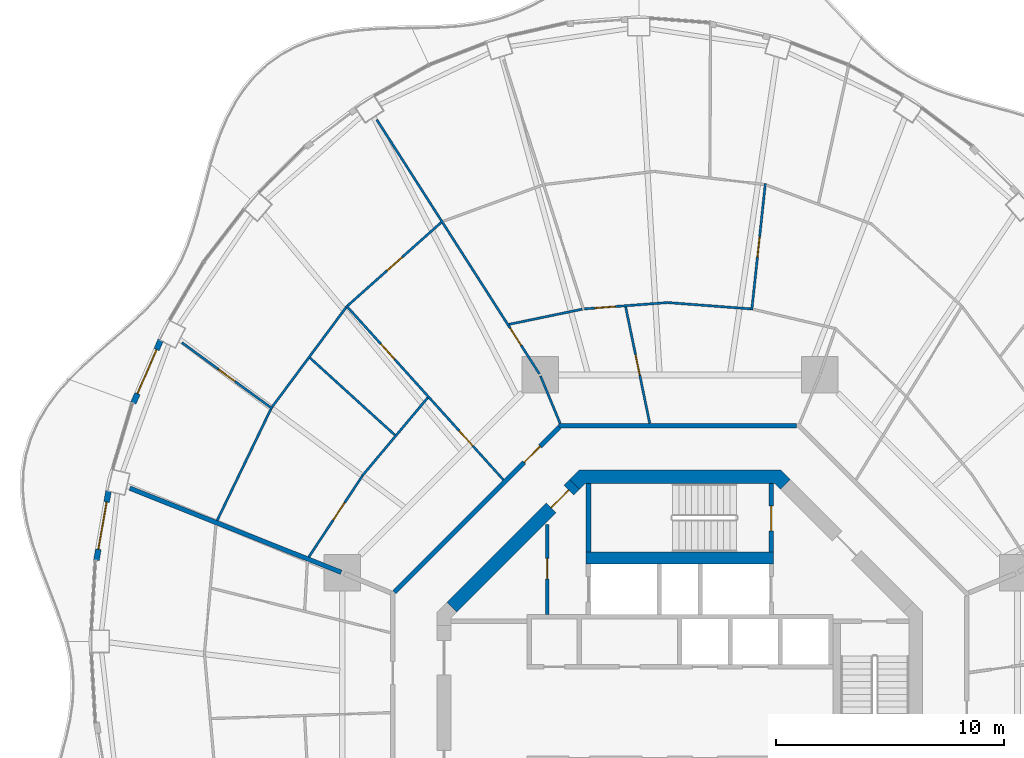
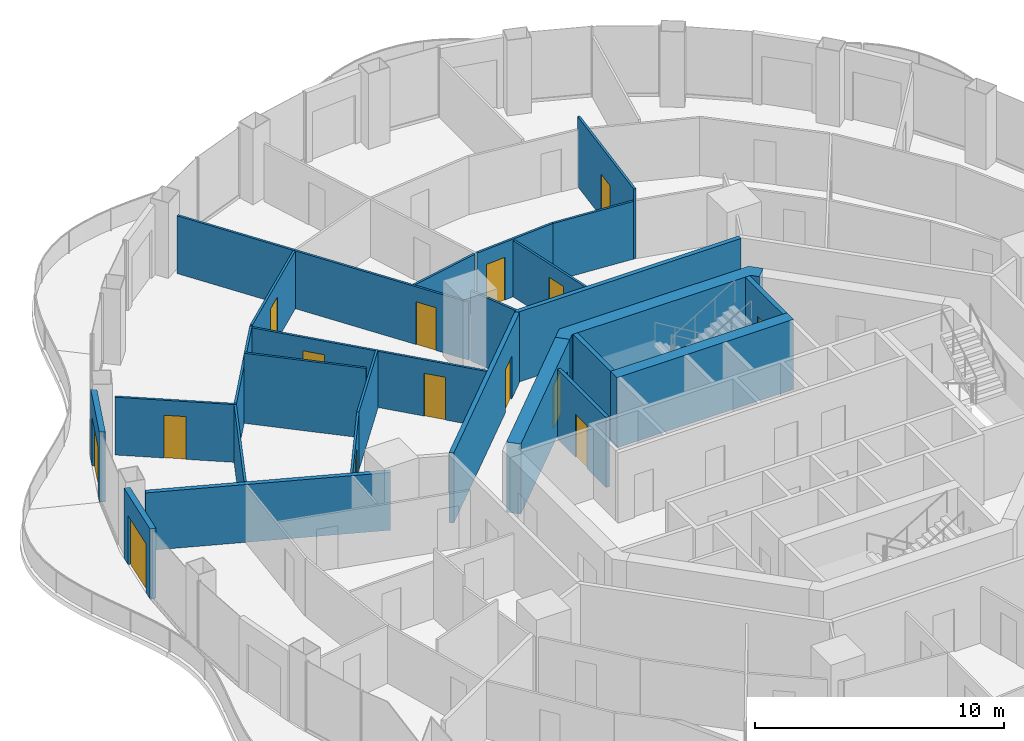
# One storey, part 13 of 18: 26 walls, 15 doors, 15 openings.
"""IFC4 building model written with IfcOpenShell, lengths in metres."""

from ifc_helpers import new_model, si_unit, direction, frame, frame_2d, origin, place, context, subcontext, project, spatial, polyline, rectangle, outline, extrude, material, layer, layer_set, type_object, element, fill, save


model = new_model("IFC4")

# Units and contexts
model_context = context("Model", 3, precision=1e-05, world=origin(), true_north=direction((0.0, 1.0)))
body_context = subcontext(model_context, "Body", "Model", "MODEL_VIEW")
ifc_project = project(units=[si_unit("LENGTHUNIT", "METRE"), si_unit("AREAUNIT", "SQUARE_METRE"), si_unit("VOLUMEUNIT", "CUBIC_METRE"), si_unit("PLANEANGLEUNIT", "RADIAN"), si_unit("MASSUNIT", "GRAM", prefix="KILO")], contexts=[model_context])

# Site, building, storey
site_placement = place(None, origin())
site = spatial("IfcSite", under=ifc_project, at=site_placement, CompositionType="ELEMENT")
building_placement = place(site_placement, origin())
building = spatial("IfcBuilding", under=site, at=building_placement, Name="Nagisa Residences", CompositionType="ELEMENT")
storey_placement = place(building_placement, frame((0.0, 0.0, 215.89990234375)))
storey = spatial("IfcBuildingStorey", under=building, at=storey_placement, Name="L54", CompositionType="ELEMENT", Elevation=215.89990234375)

# Walls
ifc_material_1 = material(Name="Gypsum board on steel studs", Category="steel")
ifc_layer_1 = layer(ifc_material_1, 0.199951171875)
ifc_layer_set_1 = layer_set([ifc_layer_1], Name="Apartment compartment wall EI60 200")
wall_type_1 = type_object("IfcWallType", Name="Apartment compartment wall EI60 200", PredefinedType="PARTITIONING", material=ifc_layer_set_1)
wall_1_placement = place(storey_placement, frame((-14.82861328125, 6.141357421875, 0.0), z_axis=(0.0, 0.0, 1.0), x_axis=(-0.929202069098, 0.36957206981, 0.0)))
element("IfcWall", 1, at=wall_1_placement, inside=storey, type_object=wall_type_1, Name="wall:L54:u03", PredefinedType="PARTITIONING", context=body_context, shape_type="SweptSolid", body=[
    extrude(rectangle(XDim=9.95654296875, YDim=0.199951171875, at=frame_2d((4.978271484375, 0.0))), origin(), (0.0, 0.0, 1.0), 2.837158203125),
])
ifc_material_2 = material(Name="Gypsum board on steel studs", Category="steel")
ifc_layer_2 = layer(ifc_material_2, 0.199951171875)
ifc_layer_set_2 = layer_set([ifc_layer_2], Name="Apartment entry wall EI60 200")
wall_type_2 = type_object("IfcWallType", Name="Apartment entry wall EI60 200", PredefinedType="PARTITIONING", material=ifc_layer_set_2)
wall_2_placement = place(storey_placement, frame((5.1044921875, 12.564697265625, 0.0), z_axis=(0.0, 0.0, 1.0), x_axis=(-1.0, 0.0, 0.0)))
element("IfcWall", 2, at=wall_2_placement, inside=storey, type_object=wall_type_2, Name="wall:L54:u10", PredefinedType="PARTITIONING", context=body_context, shape_type="SweptSolid", body=[
    extrude(rectangle(XDim=10.408935546875, YDim=0.199951171875, at=frame_2d((5.20458984375, 0.0))), origin(), (0.0, 0.0, 1.0), 3.440185546875),
])

# Wall, opening, door
wall_3_placement = place(storey_placement, frame((-5.275146484375, 12.494140625, 0.0), z_axis=(0.0, 0.0, 1.0), x_axis=(-0.707106781187, -0.707106781187, 0.0)))
wall_3 = element("IfcWall", 3, at=wall_3_placement, inside=storey, type_object=wall_type_2, Name="wall:L54:u11", PredefinedType="PARTITIONING", context=body_context, shape_type="SweptSolid", body=[
    extrude(rectangle(XDim=10.209228515625, YDim=0.199951171875, at=frame_2d((5.1044921875, 0.0))), origin(), (0.0, 0.0, 1.0), 3.440185546875),
])
opening_1_placement = place(wall_3_placement, frame((1.184814453125, 0.0, 0.0)))
opening_1 = element("IfcOpeningElement", 4, at=opening_1_placement, cuts=wall_3, Name="Opening L54-U01", PredefinedType="OPENING", context=body_context, shape_type="SweptSolid", body=[
    extrude(rectangle(XDim=1.0, YDim=2.10009765625, at=frame_2d((0.5, 1.050048828125))), frame((0.0, 0.10986328125, 0.0), z_axis=(0.0, -1.0, 0.0), x_axis=(1.0, 0.0, 0.0)), (0.0, 0.0, 1.0), 0.219970703125),
])
ifc_material_3 = material(Name="Timber fire door set", Category="wood")
door_type_1 = type_object("IfcDoorType", Name="Apartment entry door FD30S 1000x2100", OperationType="NOTDEFINED", PredefinedType="DOOR", material=ifc_material_3)
door_1_placement = place(opening_1_placement, frame((1.0, 0.0, 0.0), x_axis=(-1.0, 0.0, 0.0)))
door_1 = element("IfcDoor", 5, at=door_1_placement, inside=storey, type_object=door_type_1, Name="Entry door, Apartment 54A", OperationType="SINGLE_SWING_RIGHT", OverallHeight=2.10009765625, OverallWidth=1.0, PredefinedType="DOOR", context=body_context, shape_type="SweptSolid", body=[
    extrude(rectangle(XDim=1.0, YDim=2.10009765625, at=frame_2d((0.5, 1.050048828125))), frame((0.0, 0.02490234375, 0.0), z_axis=(0.0, -1.0, 0.0), x_axis=(1.0, 0.0, 0.0)), (0.0, 0.0, 1.0), 0.050048828125),
])
fill(opening_1, door_1)

ifc_material_4 = material(Name="Gypsum board on steel studs", Category="steel")
ifc_layer_3 = layer(ifc_material_4, 0.10009765625)
ifc_layer_set_3 = layer_set([ifc_layer_3], Name="Apartment partition 100")
wall_type_3 = type_object("IfcWallType", Name="Apartment partition 100", PredefinedType="PARTITIONING", material=ifc_layer_set_3)
wall_4_placement = place(storey_placement, frame((3.145263671875, 17.617919921875, 0.0), z_axis=(0.0, 0.0, 1.0), x_axis=(0.106820754108, 0.994278294288, 0.0)))
wall_4 = element("IfcWall", 6, at=wall_4_placement, inside=storey, type_object=wall_type_3, Name="wall:L54:u34", PredefinedType="PARTITIONING", context=body_context, shape_type="SweptSolid", body=[
    extrude(rectangle(XDim=5.574462890625, YDim=0.10009765625, at=frame_2d((2.787109375, 0.0))), origin(), (0.0, 0.0, 1.0), 3.440185546875),
])
opening_2_placement = place(wall_4_placement, frame((2.337158203125, 0.0, 0.0)))
opening_2 = element("IfcOpeningElement", 7, at=opening_2_placement, cuts=wall_4, Name="Opening L54-U14", PredefinedType="OPENING", context=body_context, shape_type="SweptSolid", body=[
    extrude(rectangle(XDim=0.89990234375, YDim=2.10009765625, at=frame_2d((0.449951171875, 1.050048828125))), frame((0.0, 0.06005859375, 0.0), z_axis=(0.0, -1.0, 0.0), x_axis=(1.0, 0.0, 0.0)), (0.0, 0.0, 1.0), 0.1201171875),
])
ifc_material_5 = material(Name="Timber door set", Category="wood")
door_type_2 = type_object("IfcDoorType", Name="Apartment door 900x2100", OperationType="NOTDEFINED", PredefinedType="DOOR", material=ifc_material_5)
door_2_placement = place(opening_2_placement, frame((0.89990234375, 0.0, 0.0), x_axis=(-1.0, 0.0, 0.0)))
door_2 = element("IfcDoor", 8, at=door_2_placement, inside=storey, type_object=door_type_2, Name="Door to dining room, Apartment 54A", OperationType="SINGLE_SWING_LEFT", OverallHeight=2.10009765625, OverallWidth=0.89990234375, PredefinedType="DOOR", context=body_context, shape_type="SweptSolid", body=[
    extrude(rectangle(XDim=0.89990234375, YDim=2.10009765625, at=frame_2d((0.449951171875, 1.050048828125))), frame((0.0, 0.02490234375, 0.0), z_axis=(0.0, -1.0, 0.0), x_axis=(1.0, 0.0, 0.0)), (0.0, 0.0, 1.0), 0.050048828125),
])
fill(opening_2, door_2)

# Wall
wall_5_placement = place(storey_placement, frame((3.1005859375, 17.67138671875, 0.0), z_axis=(0.0, 0.0, 1.0), x_axis=(-0.997133705575, 0.075659587668, 0.0)))
element("IfcWall", 9, at=wall_5_placement, inside=storey, type_object=wall_type_3, Name="wall:L54:u35", PredefinedType="PARTITIONING", context=body_context, shape_type="SweptSolid", body=[
    extrude(rectangle(XDim=3.60107421875, YDim=0.10009765625, at=frame_2d((1.800537109375, 0.0))), origin(), (0.0, 0.0, 1.0), 2.837158203125),
])

# Wall, opening, door
wall_6_placement = place(storey_placement, frame((-0.490234375, 17.951416015625, 0.0), z_axis=(0.0, 0.0, 1.0), x_axis=(-0.997133495787, -0.075662352452, 0.0)))
wall_6 = element("IfcWall", 10, at=wall_6_placement, inside=storey, type_object=wall_type_3, Name="wall:L54:u38", PredefinedType="PARTITIONING", context=body_context, shape_type="SweptSolid", body=[
    extrude(rectangle(XDim=3.700927734375, YDim=0.10009765625, at=frame_2d((1.8505859375, 0.0))), origin(), (0.0, 0.0, 1.0), 2.837158203125),
])
opening_3_placement = place(wall_6_placement, frame((2.350830078125, 0.0, 0.0)))
opening_3 = element("IfcOpeningElement", 11, at=opening_3_placement, cuts=wall_6, Name="Opening L54-U04", PredefinedType="OPENING", context=body_context, shape_type="SweptSolid", body=[
    extrude(rectangle(XDim=0.89990234375, YDim=2.10009765625, at=frame_2d((0.449951171875, 1.050048828125))), frame((0.0, 0.06005859375, 0.0), z_axis=(0.0, -1.0, 0.0), x_axis=(1.0, 0.0, 0.0)), (0.0, 0.0, 1.0), 0.1201171875),
])
door_3_placement = place(opening_3_placement, frame((0.89990234375, 0.0, 0.0), x_axis=(-1.0, 0.0, 0.0)))
door_3 = element("IfcDoor", 12, at=door_3_placement, inside=storey, type_object=door_type_2, Name="Door to family room, Apartment 54A", OperationType="SINGLE_SWING_LEFT", OverallHeight=2.10009765625, OverallWidth=0.89990234375, PredefinedType="DOOR", context=body_context, shape_type="SweptSolid", body=[
    extrude(rectangle(XDim=0.89990234375, YDim=2.10009765625, at=frame_2d((0.449951171875, 1.050048828125))), frame((0.0, 0.02490234375, 0.0), z_axis=(0.0, -1.0, 0.0), x_axis=(1.0, 0.0, 0.0)), (0.0, 0.0, 1.0), 0.050048828125),
])
fill(opening_3, door_3)

wall_7_placement = place(storey_placement, frame((-1.3212890625, 12.66259765625, 0.0), z_axis=(0.0, 0.0, 1.0), x_axis=(-0.202526486639, 0.979276785291, 0.0)))
wall_7 = element("IfcWall", 13, at=wall_7_placement, inside=storey, type_object=wall_type_3, Name="wall:L54:u40", PredefinedType="PARTITIONING", context=body_context, shape_type="SweptSolid", body=[
    extrude(rectangle(XDim=5.2041015625, YDim=0.10009765625, at=frame_2d((2.60205078125, 0.0))), origin(), (0.0, 0.0, 1.0), 2.76220703125),
])
opening_4_placement = place(wall_7_placement, frame((2.15185546875, 0.0, 0.0)))
opening_4 = element("IfcOpeningElement", 14, at=opening_4_placement, cuts=wall_7, Name="Opening L54-U13", PredefinedType="OPENING", context=body_context, shape_type="SweptSolid", body=[
    extrude(rectangle(XDim=0.89990234375, YDim=2.10009765625, at=frame_2d((0.449951171875, 1.050048828125))), frame((0.0, 0.06005859375, 0.0), z_axis=(0.0, -1.0, 0.0), x_axis=(1.0, 0.0, 0.0)), (0.0, 0.0, 1.0), 0.1201171875),
])
door_4_placement = place(opening_4_placement, frame((0.89990234375, 0.0, 0.0), x_axis=(-1.0, 0.0, 0.0)))
door_4 = element("IfcDoor", 15, at=door_4_placement, inside=storey, type_object=door_type_2, Name="Door to store, Apartment 54A", OperationType="SINGLE_SWING_RIGHT", OverallHeight=2.10009765625, OverallWidth=0.89990234375, PredefinedType="DOOR", context=body_context, shape_type="SweptSolid", body=[
    extrude(rectangle(XDim=0.89990234375, YDim=2.10009765625, at=frame_2d((0.449951171875, 1.050048828125))), frame((0.0, 0.02490234375, 0.0), z_axis=(0.0, -1.0, 0.0), x_axis=(1.0, 0.0, 0.0)), (0.0, 0.0, 1.0), 0.050048828125),
])
fill(opening_4, door_4)

# Walls
wall_8_placement = place(storey_placement, frame((-4.279541015625, 17.657470703125, 0.0), z_axis=(0.0, 0.0, 1.0), x_axis=(-0.979205232861, -0.202872156637, 0.0)))
element("IfcWall", 16, at=wall_8_placement, inside=storey, type_object=wall_type_3, Name="wall:L54:u42", PredefinedType="PARTITIONING", context=body_context, shape_type="SweptSolid", body=[
    extrude(rectangle(XDim=3.27099609375, YDim=0.10009765625, at=frame_2d((1.635498046875, 0.0))), origin(), (0.0, 0.0, 1.0), 2.837158203125),
])
wall_9_placement = place(storey_placement, frame((-5.24267578125, 12.6572265625, 0.0), z_axis=(0.0, 0.0, 1.0), x_axis=(-0.382757529444, 0.923848837015, 0.0)))
element("IfcWall", 17, at=wall_9_placement, inside=storey, type_object=wall_type_3, Name="wall:L54:u44", PredefinedType="PARTITIONING", context=body_context, shape_type="SweptSolid", body=[
    extrude(rectangle(XDim=2.249755859375, YDim=0.10009765625, at=frame_2d((1.125, 0.0))), origin(), (0.0, 0.0, 1.0), 3.440185546875),
])

# Wall, opening, door
wall_10_placement = place(storey_placement, frame((-6.14990234375, 14.82421875, 0.0), z_axis=(0.0, 0.0, 1.0), x_axis=(-0.538870687577, 0.842388498301, 0.0)))
wall_10 = element("IfcWall", 18, at=wall_10_placement, inside=storey, type_object=wall_type_3, Name="wall:L54:u45", PredefinedType="PARTITIONING", context=body_context, shape_type="SweptSolid", body=[
    extrude(rectangle(XDim=13.212646484375, YDim=0.10009765625, at=frame_2d((6.6064453125, 0.0))), origin(), (0.0, 0.0, 1.0), 2.837158203125),
])
opening_5_placement = place(wall_10_placement, frame((1.4833984375, 0.0, 0.0)))
opening_5 = element("IfcOpeningElement", 19, at=opening_5_placement, cuts=wall_10, Name="Opening L54-U02", PredefinedType="OPENING", context=body_context, shape_type="SweptSolid", body=[
    extrude(rectangle(XDim=0.89990234375, YDim=2.10009765625, at=frame_2d((0.449951171875, 1.050048828125))), frame((0.0, 0.06005859375, 0.0), z_axis=(0.0, -1.0, 0.0), x_axis=(1.0, 0.0, 0.0)), (0.0, 0.0, 1.0), 0.1201171875),
])
door_5_placement = place(opening_5_placement, frame((0.89990234375, 0.0, 0.0), x_axis=(-1.0, 0.0, 0.0)))
door_5 = element("IfcDoor", 20, at=door_5_placement, inside=storey, type_object=door_type_2, Name="Door to laundry, Apartment 54A", OperationType="SINGLE_SWING_LEFT", OverallHeight=2.10009765625, OverallWidth=0.89990234375, PredefinedType="DOOR", context=body_context, shape_type="SweptSolid", body=[
    extrude(rectangle(XDim=0.89990234375, YDim=2.10009765625, at=frame_2d((0.449951171875, 1.050048828125))), frame((0.0, 0.02490234375, 0.0), z_axis=(0.0, -1.0, 0.0), x_axis=(1.0, 0.0, 0.0)), (0.0, 0.0, 1.0), 0.050048828125),
])
fill(opening_5, door_5)

wall_11_placement = place(storey_placement, frame((-10.450439453125, 21.455322265625, 0.0), z_axis=(0.0, 0.0, 1.0), x_axis=(-0.747150931973, -0.66465441009, 0.0)))
wall_11 = element("IfcWall", 21, at=wall_11_placement, inside=storey, type_object=wall_type_3, Name="wall:L54:u46", PredefinedType="PARTITIONING", context=body_context, shape_type="SweptSolid", body=[
    extrude(rectangle(XDim=5.474853515625, YDim=0.10009765625, at=frame_2d((2.7373046875, 0.0))), origin(), (0.0, 0.0, 1.0), 2.837158203125),
])
opening_6_placement = place(wall_11_placement, frame((2.28759765625, 0.0, 0.0)))
opening_6 = element("IfcOpeningElement", 22, at=opening_6_placement, cuts=wall_11, Name="Opening L54-U11", PredefinedType="OPENING", context=body_context, shape_type="SweptSolid", body=[
    extrude(rectangle(XDim=0.89990234375, YDim=2.10009765625, at=frame_2d((0.449951171875, 1.050048828125))), frame((0.0, 0.06005859375, 0.0), z_axis=(0.0, -1.0, 0.0), x_axis=(1.0, 0.0, 0.0)), (0.0, 0.0, 1.0), 0.1201171875),
])
door_6_placement = place(opening_6_placement, frame((0.89990234375, 0.0, 0.0), x_axis=(-1.0, 0.0, 0.0)))
door_6 = element("IfcDoor", 23, at=door_6_placement, inside=storey, type_object=door_type_2, Name="Door to living room, Apartment 54A", OperationType="SINGLE_SWING_RIGHT", OverallHeight=2.10009765625, OverallWidth=0.89990234375, PredefinedType="DOOR", context=body_context, shape_type="SweptSolid", body=[
    extrude(rectangle(XDim=0.89990234375, YDim=2.10009765625, at=frame_2d((0.449951171875, 1.050048828125))), frame((0.0, 0.02490234375, 0.0), z_axis=(0.0, -1.0, 0.0), x_axis=(1.0, 0.0, 0.0)), (0.0, 0.0, 1.0), 0.050048828125),
])
fill(opening_6, door_6)

# Wall, openings, doors
wall_12_placement = place(storey_placement, frame((-7.724853515625, 10.185546875, 0.0), z_axis=(0.0, 0.0, 1.0), x_axis=(-0.669819599194, 0.742523874725, 0.0)))
wall_12 = element("IfcWall", 24, at=wall_12_placement, inside=storey, type_object=wall_type_3, Name="wall:L54:u47", PredefinedType="PARTITIONING", context=body_context, shape_type="SweptSolid", body=[
    extrude(rectangle(XDim=10.2822265625, YDim=0.10009765625, at=frame_2d((5.14111328125, 0.0))), origin(), (0.0, 0.0, 1.0), 2.76220703125),
])
opening_7_placement = place(wall_12_placement, frame((1.999755859375, 0.0, 0.0)))
opening_7 = element("IfcOpeningElement", 25, at=opening_7_placement, cuts=wall_12, Name="Opening L54-U03", PredefinedType="OPENING", context=body_context, shape_type="SweptSolid", body=[
    extrude(rectangle(XDim=0.89990234375, YDim=2.10009765625, at=frame_2d((0.449951171875, 1.050048828125))), frame((0.0, 0.06005859375, 0.0), z_axis=(0.0, -1.0, 0.0), x_axis=(1.0, 0.0, 0.0)), (0.0, 0.0, 1.0), 0.1201171875),
])
opening_8_placement = place(wall_12_placement, frame((7.11572265625, 0.0, 0.0)))
opening_8 = element("IfcOpeningElement", 26, at=opening_8_placement, cuts=wall_12, Name="Opening L54-U06", PredefinedType="OPENING", context=body_context, shape_type="SweptSolid", body=[
    extrude(rectangle(XDim=0.89990234375, YDim=2.10009765625, at=frame_2d((0.449951171875, 1.050048828125))), frame((0.0, 0.06005859375, 0.0), z_axis=(0.0, -1.0, 0.0), x_axis=(1.0, 0.0, 0.0)), (0.0, 0.0, 1.0), 0.1201171875),
])
door_7_placement = place(opening_7_placement, origin())
door_7 = element("IfcDoor", 27, at=door_7_placement, inside=storey, type_object=door_type_2, Name="Door to store, Apartment 54A", OperationType="SINGLE_SWING_LEFT", OverallHeight=2.10009765625, OverallWidth=0.89990234375, PredefinedType="DOOR", context=body_context, shape_type="SweptSolid", body=[
    extrude(rectangle(XDim=0.89990234375, YDim=2.10009765625, at=frame_2d((0.449951171875, 1.050048828125))), frame((0.0, 0.02490234375, 0.0), z_axis=(0.0, -1.0, 0.0), x_axis=(1.0, 0.0, 0.0)), (0.0, 0.0, 1.0), 0.050048828125),
])
fill(opening_7, door_7)
door_8_placement = place(opening_8_placement, origin())
door_8 = element("IfcDoor", 28, at=door_8_placement, inside=storey, type_object=door_type_2, Name="Door to family bathroom, Apartment 54A", OperationType="SINGLE_SWING_RIGHT", OverallHeight=2.10009765625, OverallWidth=0.89990234375, PredefinedType="DOOR", context=body_context, shape_type="SweptSolid", body=[
    extrude(rectangle(XDim=0.89990234375, YDim=2.10009765625, at=frame_2d((0.449951171875, 1.050048828125))), frame((0.0, 0.02490234375, 0.0), z_axis=(0.0, -1.0, 0.0), x_axis=(1.0, 0.0, 0.0)), (0.0, 0.0, 1.0), 0.050048828125),
])
fill(opening_8, door_8)

# Walls
wall_13_placement = place(storey_placement, frame((-11.03857421875, 13.78515625, 0.0), z_axis=(0.0, 0.0, 1.0), x_axis=(-0.642254625966, -0.766491353784, 0.0)))
element("IfcWall", 29, at=wall_13_placement, inside=storey, type_object=wall_type_3, Name="wall:L54:u48", PredefinedType="PARTITIONING", context=body_context, shape_type="SweptSolid", body=[
    extrude(rectangle(XDim=4.4609375, YDim=0.10009765625, at=frame_2d((2.23046875, 0.0))), origin(), (0.0, 0.0, 1.0), 2.837158203125),
])
wall_14_placement = place(storey_placement, frame((-14.608154296875, 17.7431640625, 0.0), z_axis=(0.0, 0.0, 1.0), x_axis=(-0.596174489482, -0.8028548923, 0.0)))
element("IfcWall", 30, at=wall_14_placement, inside=storey, type_object=wall_type_3, Name="wall:L54:u49", PredefinedType="PARTITIONING", context=body_context, shape_type="SweptSolid", body=[
    extrude(rectangle(XDim=5.44189453125, YDim=0.10009765625, at=frame_2d((2.720947265625, 0.0))), origin(), (0.0, 0.0, 1.0), 2.837158203125),
])
wall_15_placement = place(storey_placement, frame((-12.47607421875, 12.1474609375, 0.0), z_axis=(0.0, 0.0, 1.0), x_axis=(-0.740129203525, 0.672464692077, 0.0)))
element("IfcWall", 31, at=wall_15_placement, inside=storey, type_object=wall_type_3, Name="wall:L54:u50", PredefinedType="PARTITIONING", context=body_context, shape_type="SweptSolid", body=[
    extrude(rectangle(XDim=5.0224609375, YDim=0.10009765625, at=frame_2d((2.51123046875, 0.0))), origin(), (0.0, 0.0, 1.0), 3.440185546875),
])

# Wall, opening, door
wall_16_placement = place(storey_placement, frame((-13.899169921875, 10.362548828125, 0.0), z_axis=(0.0, 0.0, 1.0), x_axis=(-0.551267958114, -0.834328255758, 0.0)))
wall_16 = element("IfcWall", 32, at=wall_16_placement, inside=storey, type_object=wall_type_3, Name="wall:L54:u51", PredefinedType="PARTITIONING", context=body_context, shape_type="SweptSolid", body=[
    extrude(rectangle(XDim=4.25732421875, YDim=0.10009765625, at=frame_2d((2.128662109375, 0.0))), origin(), (0.0, 0.0, 1.0), 2.837158203125),
])
opening_9_placement = place(wall_16_placement, frame((1.4130859375, 0.0, 0.0)))
opening_9 = element("IfcOpeningElement", 33, at=opening_9_placement, cuts=wall_16, Name="Opening L54-U07", PredefinedType="OPENING", context=body_context, shape_type="SweptSolid", body=[
    extrude(rectangle(XDim=0.89990234375, YDim=2.10009765625, at=frame_2d((0.449951171875, 1.050048828125))), frame((0.0, 0.06005859375, 0.0), z_axis=(0.0, -1.0, 0.0), x_axis=(1.0, 0.0, 0.0)), (0.0, 0.0, 1.0), 0.1201171875),
])
door_9_placement = place(opening_9_placement, frame((0.89990234375, 0.0, 0.0), x_axis=(-1.0, 0.0, 0.0)))
door_9 = element("IfcDoor", 34, at=door_9_placement, inside=storey, type_object=door_type_2, Name="Door to dining room, Apartment 54A", OperationType="SINGLE_SWING_RIGHT", OverallHeight=2.10009765625, OverallWidth=0.89990234375, PredefinedType="DOOR", context=body_context, shape_type="SweptSolid", body=[
    extrude(rectangle(XDim=0.89990234375, YDim=2.10009765625, at=frame_2d((0.449951171875, 1.050048828125))), frame((0.0, 0.02490234375, 0.0), z_axis=(0.0, -1.0, 0.0), x_axis=(1.0, 0.0, 0.0)), (0.0, 0.0, 1.0), 0.050048828125),
])
fill(opening_9, door_9)

wall_17_placement = place(storey_placement, frame((-17.842041015625, 13.304443359375, 0.0), z_axis=(0.0, 0.0, 1.0), x_axis=(-0.807541617862, 0.589810592835, 0.0)))
wall_17 = element("IfcWall", 35, at=wall_17_placement, inside=storey, type_object=wall_type_3, Name="wall:L54:u52", PredefinedType="PARTITIONING", context=body_context, shape_type="SweptSolid", body=[
    extrude(rectangle(XDim=4.9033203125, YDim=0.10009765625, at=frame_2d((2.45166015625, 0.0))), origin(), (0.0, 0.0, 1.0), 2.837158203125),
])
opening_10_placement = place(wall_17_placement, frame((2.02685546875, 0.0, 0.0)))
opening_10 = element("IfcOpeningElement", 36, at=opening_10_placement, cuts=wall_17, Name="Opening L54-U12", PredefinedType="OPENING", context=body_context, shape_type="SweptSolid", body=[
    extrude(rectangle(XDim=0.89990234375, YDim=2.10009765625, at=frame_2d((0.449951171875, 1.050048828125))), frame((0.0, 0.06005859375, 0.0), z_axis=(0.0, -1.0, 0.0), x_axis=(1.0, 0.0, 0.0)), (0.0, 0.0, 1.0), 0.1201171875),
])
door_10_placement = place(opening_10_placement, origin())
door_10 = element("IfcDoor", 37, at=door_10_placement, inside=storey, type_object=door_type_2, Name="Door to bedroom, Apartment 54A", OperationType="SINGLE_SWING_RIGHT", OverallHeight=2.10009765625, OverallWidth=0.89990234375, PredefinedType="DOOR", context=body_context, shape_type="SweptSolid", body=[
    extrude(rectangle(XDim=0.89990234375, YDim=2.10009765625, at=frame_2d((0.449951171875, 1.050048828125))), frame((0.0, 0.02490234375, 0.0), z_axis=(0.0, -1.0, 0.0), x_axis=(1.0, 0.0, 0.0)), (0.0, 0.0, 1.0), 0.050048828125),
])
fill(opening_10, door_10)

# Wall
wall_18_placement = place(storey_placement, frame((-17.904052734375, 13.288818359375, 0.0), z_axis=(0.0, 0.0, 1.0), x_axis=(-0.43429918566, -0.900768681369, 0.0)))
element("IfcWall", 38, at=wall_18_placement, inside=storey, type_object=wall_type_3, Name="wall:L54:u53", PredefinedType="PARTITIONING", context=body_context, shape_type="SweptSolid", body=[
    extrude(rectangle(XDim=5.41845703125, YDim=0.10009765625, at=frame_2d((2.709228515625, 0.0))), origin(), (0.0, 0.0, 1.0), 2.837158203125),
])

# Wall, opening, door
ifc_material_6 = material(Name="Precast concrete C40/50", Category="concrete")
ifc_layer_4 = layer(ifc_material_6, 0.25)
ifc_layer_set_4 = layer_set([ifc_layer_4], Name="BALCONY DOOR WALL 250")
wall_type_4 = type_object("IfcWallType", Name="BALCONY DOOR WALL 250", PredefinedType="SOLIDWALL", material=ifc_layer_set_4)
wall_19_placement = place(storey_placement, frame((-23.923095703125, 13.5498046875, 0.0), z_axis=(0.0, 0.0, 1.0), x_axis=(0.397685034628, 0.917521996048, 0.0)))
wall_19 = element("IfcWall", 39, at=wall_19_placement, inside=storey, type_object=wall_type_4, Name="wall:L54:bay20", PredefinedType="SOLIDWALL", context=body_context, shape_type="SweptSolid", body=[
    extrude(rectangle(XDim=3.001953125, YDim=0.25, at=frame_2d((1.5009765625, 0.0))), origin(), (0.0, 0.0, 1.0), 3.440185546875),
])
opening_11_placement = place(wall_19_placement, frame((0.450927734375, 0.0, 0.0)))
opening_11 = element("IfcOpeningElement", 40, at=opening_11_placement, cuts=wall_19, Name="Opening BD-L54-07", PredefinedType="OPENING", context=body_context, shape_type="SweptSolid", body=[
    extrude(rectangle(XDim=2.10009765625, YDim=2.39990234375, at=frame_2d((1.050048828125, 1.199951171875))), frame((0.0, 0.135009765625, 0.0), z_axis=(0.0, -1.0, 0.0), x_axis=(1.0, 0.0, 0.0)), (0.0, 0.0, 1.0), 0.27001953125),
])
ifc_material_7 = material(Name="Aluminium and clear glass", Category="aluminium")
door_type_3 = type_object("IfcDoorType", Name="BALCONY SLIDING DOOR 2100x2400", OperationType="SLIDING_TO_LEFT", PredefinedType="DOOR", material=ifc_material_7)
door_11_placement = place(opening_11_placement, origin())
door_11 = element("IfcDoor", 41, at=door_11_placement, inside=storey, type_object=door_type_3, Name="door:L54:bay20", OperationType="SLIDING_TO_LEFT", OverallHeight=2.39990234375, OverallWidth=2.10009765625, PredefinedType="DOOR", context=body_context, shape_type="SweptSolid", body=[
    extrude(rectangle(XDim=2.10009765625, YDim=2.39990234375, at=frame_2d((1.050048828125, 1.199951171875))), frame((0.0, 0.02490234375, 0.0), z_axis=(0.0, -1.0, 0.0), x_axis=(1.0, 0.0, 0.0)), (0.0, 0.0, 1.0), 0.050048828125),
])
fill(opening_11, door_11)

wall_20_placement = place(storey_placement, frame((-25.541015625, 6.67138671875, 0.0), z_axis=(0.0, 0.0, 1.0), x_axis=(0.172254823677, 0.985052422828, 0.0)))
wall_20 = element("IfcWall", 42, at=wall_20_placement, inside=storey, type_object=wall_type_4, Name="wall:L54:bay22", PredefinedType="SOLIDWALL", context=body_context, shape_type="SweptSolid", body=[
    extrude(rectangle(XDim=3.067138671875, YDim=0.25, at=frame_2d((1.53369140625, 0.0))), origin(), (0.0, 0.0, 1.0), 3.440185546875),
])
opening_12_placement = place(wall_20_placement, frame((0.483642578125, 0.0, 0.0)))
opening_12 = element("IfcOpeningElement", 43, at=opening_12_placement, cuts=wall_20, Name="Opening BD-L54-08", PredefinedType="OPENING", context=body_context, shape_type="SweptSolid", body=[
    extrude(rectangle(XDim=2.10009765625, YDim=2.39990234375, at=frame_2d((1.050048828125, 1.199951171875))), frame((0.0, 0.135009765625, 0.0), z_axis=(0.0, -1.0, 0.0), x_axis=(1.0, 0.0, 0.0)), (0.0, 0.0, 1.0), 0.27001953125),
])
door_12_placement = place(opening_12_placement, origin())
door_12 = element("IfcDoor", 44, at=door_12_placement, inside=storey, type_object=door_type_3, Name="door:L54:bay22", OperationType="SLIDING_TO_LEFT", OverallHeight=2.39990234375, OverallWidth=2.10009765625, PredefinedType="DOOR", context=body_context, shape_type="SweptSolid", body=[
    extrude(rectangle(XDim=2.10009765625, YDim=2.39990234375, at=frame_2d((1.050048828125, 1.199951171875))), frame((0.0, 0.02490234375, 0.0), z_axis=(0.0, -1.0, 0.0), x_axis=(1.0, 0.0, 0.0)), (0.0, 0.0, 1.0), 0.050048828125),
])
fill(opening_12, door_12)

ifc_material_8 = material(Name="Gypsum board on steel studs", Category="steel")
ifc_layer_5 = layer(ifc_material_8, 0.14990234375)
ifc_layer_set_5 = layer_set([ifc_layer_5], Name="Core partition 150")
wall_type_5 = type_object("IfcWallType", Name="Core partition 150", PredefinedType="PARTITIONING", material=ifc_layer_set_5)
wall_21_placement = place(storey_placement, frame((-5.800048828125, 4.300048828125, 0.0), z_axis=(0.0, 0.0, 1.0), x_axis=(0.0, 1.0, 0.0)))
wall_21 = element("IfcWall", 45, at=wall_21_placement, inside=storey, type_object=wall_type_5, Name="wall:L54:NWp", PredefinedType="PARTITIONING", context=body_context, shape_type="SweptSolid", body=[
    extrude(rectangle(XDim=3.927001953125, YDim=0.14990234375, at=frame_2d((1.96337890625, 0.0))), origin(), (0.0, 0.0, 1.0), 3.440185546875),
])
opening_13_placement = place(wall_21_placement, frame((1.551025390625, 0.0, 0.0)))
opening_13 = element("IfcOpeningElement", 46, at=opening_13_placement, cuts=wall_21, Name="Opening L54-C11", PredefinedType="OPENING", context=body_context, shape_type="SweptSolid", body=[
    extrude(rectangle(XDim=0.89990234375, YDim=2.10009765625, at=frame_2d((0.449951171875, 1.050048828125))), frame((0.0, 0.0849609375, 0.0), z_axis=(0.0, -1.0, 0.0), x_axis=(1.0, 0.0, 0.0)), (0.0, 0.0, 1.0), 0.169921875),
])
ifc_material_9 = material(Name="Steel fire door", Category="steel")
door_type_4 = type_object("IfcDoorType", Name="Fire door EI30 900x2100 single swing", OperationType="NOTDEFINED", PredefinedType="DOOR", material=ifc_material_9)
door_13_placement = place(opening_13_placement, origin())
door_13 = element("IfcDoor", 47, at=door_13_placement, inside=storey, type_object=door_type_4, Name="Hose reel room door L54", OperationType="SINGLE_SWING_LEFT", OverallHeight=2.10009765625, OverallWidth=0.89990234375, PredefinedType="DOOR", context=body_context, shape_type="SweptSolid", body=[
    extrude(rectangle(XDim=0.89990234375, YDim=2.10009765625, at=frame_2d((0.449951171875, 1.050048828125))), frame((0.0, 0.02490234375, 0.0), z_axis=(0.0, -1.0, 0.0), x_axis=(1.0, 0.0, 0.0)), (0.0, 0.0, 1.0), 0.050048828125),
])
fill(opening_13, door_13)

ifc_material_10 = material(Name="Concrete C60", Category="concrete")
ifc_layer_6 = layer(ifc_material_10, 0.60009765625)
ifc_layer_set_6 = layer_set([ifc_layer_6], Name="Core shear wall 600")
wall_type_6 = type_object("IfcWallType", Name="Core shear wall 600", PredefinedType="SHEAR", material=ifc_layer_set_6)
wall_22_placement = place(storey_placement, frame((-4.613037109375, 9.98828125, 0.0), z_axis=(0.0, 0.0, 1.0), x_axis=(-0.707106781187, -0.707106781187, 0.0)))
wall_22 = element("IfcWall", 48, at=wall_22_placement, inside=storey, type_object=wall_type_6, Name="wall:L54:core:flat3", PredefinedType="SHEAR", context=body_context, shape_type="SweptSolid", body=[
    extrude(rectangle(XDim=7.601806640625, YDim=0.60009765625, at=frame_2d((3.80078125, 0.0))), origin(), (0.0, 0.0, 1.0), 3.440185546875),
])
opening_14_placement = place(wall_22_placement, frame((0.350830078125, 0.0, 0.0)))
opening_14 = element("IfcOpeningElement", 49, at=opening_14_placement, cuts=wall_22, Name="Opening L54-C22", PredefinedType="OPENING", context=body_context, shape_type="SweptSolid", body=[
    extrude(rectangle(XDim=1.10009765625, YDim=2.10009765625, at=frame_2d((0.550048828125, 1.050048828125))), frame((0.0, 0.31005859375, 0.0), z_axis=(0.0, -1.0, 0.0), x_axis=(1.0, 0.0, 0.0)), (0.0, 0.0, 1.0), 0.6201171875),
])
ifc_material_11 = material(Name="Steel fire door", Category="steel")
door_type_5 = type_object("IfcDoorType", Name="Fire door EI60 1100x2100 single swing", OperationType="NOTDEFINED", PredefinedType="DOOR", material=ifc_material_11)
door_14_placement = place(opening_14_placement, origin())
door_14 = element("IfcDoor", 50, at=door_14_placement, inside=storey, type_object=door_type_5, Name="Service lobby door L54", OperationType="SINGLE_SWING_RIGHT", OverallHeight=2.10009765625, OverallWidth=1.10009765625, PredefinedType="DOOR", context=body_context, shape_type="SweptSolid", body=[
    extrude(rectangle(XDim=1.10009765625, YDim=2.10009765625, at=frame_2d((0.550048828125, 1.050048828125))), frame((0.0, 0.02490234375, 0.0), z_axis=(0.0, -1.0, 0.0), x_axis=(1.0, 0.0, 0.0)), (0.0, 0.0, 1.0), 0.050048828125),
])
fill(opening_14, door_14)

# Wall
wall_23_placement = place(storey_placement, origin())
element("IfcWall", 51, at=wall_23_placement, inside=storey, type_object=wall_type_6, Name="wall:L54:core:flat2", PredefinedType="SHEAR", context=body_context, shape_type="SweptSolid", body=[
    extrude(outline(polyline([(-4.15234375, 10.024658203125), (-4.40087890625, 9.776123046875), (-4.8251953125, 10.200439453125), (-4.40087890625, 10.62451171875), (4.40087890625, 10.62451171875), (4.8251953125, 10.200439453125), (4.40087890625, 9.776123046875), (4.15234375, 10.024658203125), (-4.15234375, 10.024658203125)])), origin(), (0.0, 0.0, 1.0), 3.440185546875),
])

# Wall, opening, door
ifc_material_12 = material(Name="Concrete C60", Category="concrete")
ifc_layer_7 = layer(ifc_material_12, 0.199951171875)
ifc_layer_set_7 = layer_set([ifc_layer_7], Name="Stair enclosure wall 200")
wall_type_7 = type_object("IfcWallType", Name="Stair enclosure wall 200", PredefinedType="SOLIDWALL", material=ifc_layer_set_7)
wall_24_placement = place(storey_placement, frame((4.0, 7.024658203125, 0.0), z_axis=(0.0, 0.0, 1.0), x_axis=(0.0, 1.0, 0.0)))
wall_24 = element("IfcWall", 52, at=wall_24_placement, inside=storey, type_object=wall_type_7, Name="wall:L54:SN_e", PredefinedType="SOLIDWALL", context=body_context, shape_type="SweptSolid", body=[
    extrude(rectangle(XDim=3.0, YDim=0.199951171875, at=frame_2d((1.5, 0.0))), origin(), (0.0, 0.0, 1.0), 3.440185546875),
])
opening_15_placement = place(wall_24_placement, frame((0.92529296875, 0.0, 0.0)))
opening_15 = element("IfcOpeningElement", 53, at=opening_15_placement, cuts=wall_24, Name="Opening L54-C09", PredefinedType="OPENING", context=body_context, shape_type="SweptSolid", body=[
    extrude(rectangle(XDim=1.10009765625, YDim=2.10009765625, at=frame_2d((0.550048828125, 1.050048828125))), frame((0.0, 0.10986328125, 0.0), z_axis=(0.0, -1.0, 0.0), x_axis=(1.0, 0.0, 0.0)), (0.0, 0.0, 1.0), 0.219970703125),
])
ifc_material_13 = material(Name="Steel fire door", Category="steel")
door_type_6 = type_object("IfcDoorType", Name="Fire door EI90 1100x2100 single swing", OperationType="NOTDEFINED", PredefinedType="DOOR", material=ifc_material_13)
door_15_placement = place(opening_15_placement, origin())
door_15 = element("IfcDoor", 54, at=door_15_placement, inside=storey, type_object=door_type_6, Name="Stair door ST-N L54", OperationType="SINGLE_SWING_RIGHT", OverallHeight=2.10009765625, OverallWidth=1.10009765625, PredefinedType="DOOR", context=body_context, shape_type="SweptSolid", body=[
    extrude(rectangle(XDim=1.10009765625, YDim=2.10009765625, at=frame_2d((0.550048828125, 1.050048828125))), frame((0.0, 0.02490234375, 0.0), z_axis=(0.0, -1.0, 0.0), x_axis=(1.0, 0.0, 0.0)), (0.0, 0.0, 1.0), 0.050048828125),
])
fill(opening_15, door_15)

# Walls
wall_25_placement = place(storey_placement, origin())
element("IfcWall", 55, at=wall_25_placement, inside=storey, type_object=wall_type_7, Name="wall:L54:SN_w", PredefinedType="SOLIDWALL", context=body_context, shape_type="SweptSolid", body=[
    extrude(outline(polyline([(-3.89990234375, 7.024658203125), (-4.10009765625, 7.024658203125), (-4.10009765625, 10.024658203125), (-3.89990234375, 10.024658203125), (-3.89990234375, 7.024658203125)])), origin(), (0.0, 0.0, 1.0), 3.440185546875),
])
wall_26_placement = place(storey_placement, origin())
element("IfcWall", 56, at=wall_26_placement, inside=storey, type_object=wall_type_7, Name="wall:L54:SN_s", PredefinedType="SOLIDWALL", context=body_context, shape_type="SweptSolid", body=[
    extrude(outline(polyline([(4.10009765625, 6.5), (-4.10009765625, 6.5), (-4.10009765625, 7.024658203125), (4.10009765625, 7.024658203125), (4.10009765625, 6.5)])), origin(), (0.0, 0.0, 1.0), 3.440185546875),
])

save(model, "model.ifc")
